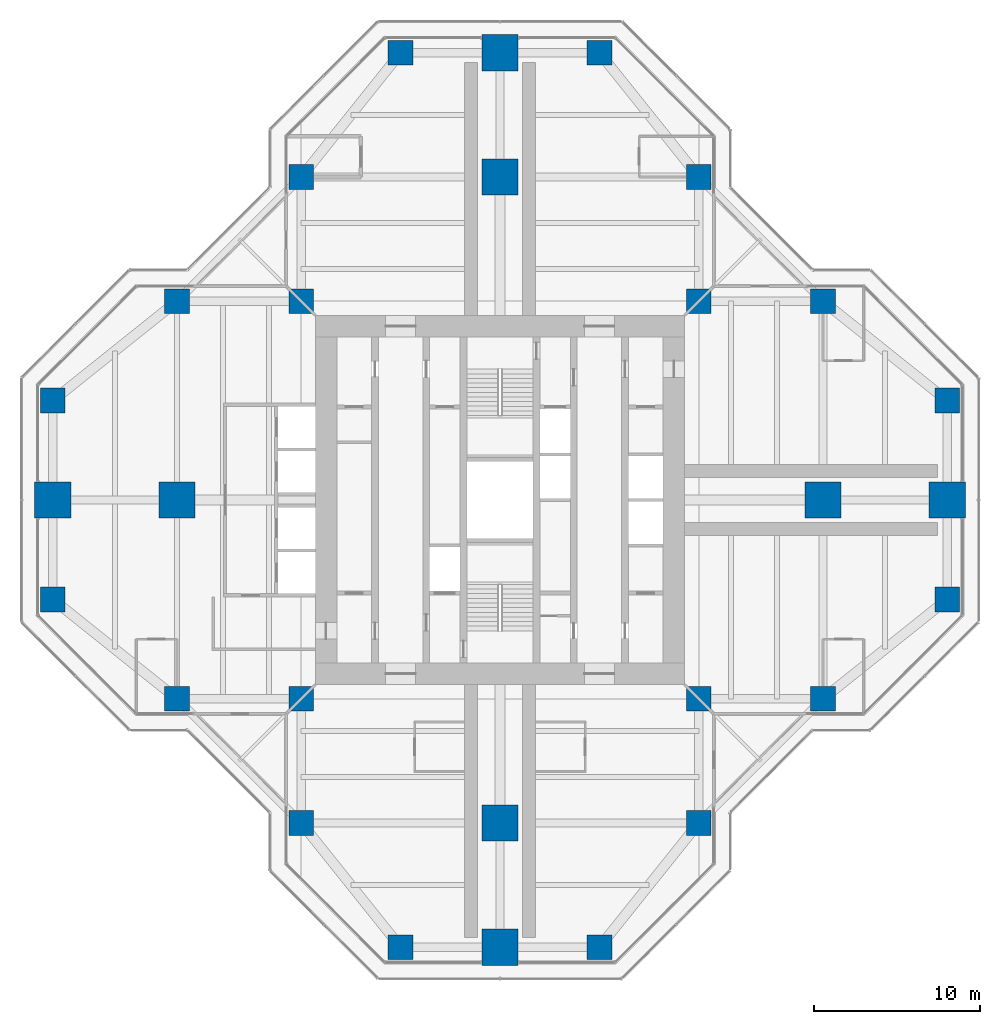
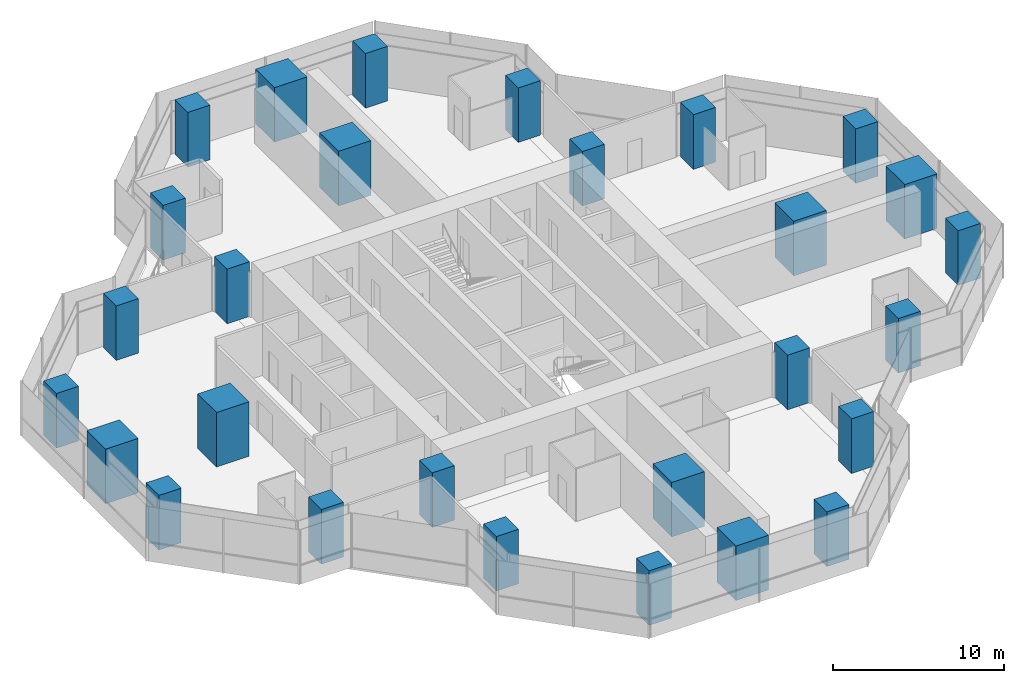
# One storey, part 1 of 17: 28 columns.
"""IFC4 building model written with IfcOpenShell, lengths in metres."""

from ifc_helpers import new_model, si_unit, direction, frame, origin, origin_2d, place, context, subcontext, project, spatial, rectangle, extrude, material, material_profile, profile_set, type_object, element, save


model = new_model("IFC4")

# Units and contexts
model_context = context("Model", 3, precision=1e-05, world=origin(), true_north=direction((0.0, 1.0)))
body_context = subcontext(model_context, "Body", "Model", "MODEL_VIEW")
ifc_project = project(units=[si_unit("LENGTHUNIT", "METRE"), si_unit("AREAUNIT", "SQUARE_METRE"), si_unit("VOLUMEUNIT", "CUBIC_METRE"), si_unit("PLANEANGLEUNIT", "RADIAN"), si_unit("MASSUNIT", "GRAM", prefix="KILO")], contexts=[model_context])

# Site, building, storey
site_placement = place(None, origin())
site = spatial("IfcSite", under=ifc_project, at=site_placement, CompositionType="ELEMENT")
building_placement = place(site_placement, origin())
building = spatial("IfcBuilding", under=site, at=building_placement, Name="Mizan Broadcast Tower", CompositionType="ELEMENT")
storey_placement = place(building_placement, frame((0.0, 0.0, 255.60009765625)))
storey = spatial("IfcBuildingStorey", under=building, at=storey_placement, Name="L60", CompositionType="ELEMENT", Elevation=255.60009765625)

# Columns
ifc_material_1 = material(Name="Concrete C70/85", Category="concrete")
ifc_material_profile_1 = material_profile(ifc_material_1, rectangle(XDim=1.5, YDim=1.5, at=origin_2d()), Name="RC 1500x1500")
ifc_profile_set_1 = profile_set([ifc_material_profile_1], Name="Concrete C70/85")
column_type_1 = type_object("IfcColumnType", Name="RC COLUMN 1500x1500 C70/85", PredefinedType="COLUMN", material=ifc_profile_set_1)
for number, where, z_axis, x_axis, name in (
    (1, (-6.0, -27.0, 0.0), (0.0, 0.0, 1.0), (1.0, 0.0, 0.0), "Column 5/B L60"),
    (2, (6.0, -27.0, 0.0), (0.0, 0.0, 1.0), (1.0, 0.0, 0.0), "Column 7/B L60"),
    (3, (-12.0, -19.5, 0.0), (0.0, 0.0, 1.0), (1.0, 0.0, 0.0), "Column 4/C L60"),
    (4, (12.0, -19.5, 0.0), (0.0, 0.0, 1.0), (1.0, 0.0, 0.0), "Column 8/C L60"),
    (5, (-19.5, -12.0, 0.0), (0.0, 0.0, 1.0), (1.0, 0.0, 0.0), "Column 3/D L60"),
    (6, (-12.0, -12.0, 0.0), (0.0, 0.0, 1.0), (1.0, 0.0, 0.0), "Column 4/D L60"),
    (7, (12.0, -12.0, 0.0), (0.0, 0.0, 1.0), (1.0, 0.0, 0.0), "Column 8/D L60"),
    (8, (19.5, -12.0, 0.0), (0.0, 0.0, 1.0), (1.0, 0.0, 0.0), "Column 9/D L60"),
    (9, (-27.0, -6.0, 0.0), (0.0, 0.0, 1.0), (1.0, 0.0, 0.0), "Column 2/E L60"),
    (10, (27.0, -6.0, 0.0), (0.0, 0.0, 1.0), (1.0, 0.0, 0.0), "Column 10/E L60"),
    (11, (-27.0, 6.0, 0.0), (0.0, 0.0, 1.0), (1.0, 0.0, 0.0), "Column 2/G L60"),
    (12, (27.0, 6.0, 0.0), (0.0, 0.0, 1.0), (1.0, 0.0, 0.0), "Column 10/G L60"),
    (13, (-19.5, 12.0, 0.0), (0.0, 0.0, 1.0), (1.0, 0.0, 0.0), "Column 3/H L60"),
    (14, (-12.0, 12.0, 0.0), (0.0, 0.0, 1.0), (1.0, 0.0, 0.0), "Column 4/H L60"),
    (15, (12.0, 12.0, 0.0), (0.0, 0.0, 1.0), (1.0, 0.0, 0.0), "Column 8/H L60"),
    (16, (19.5, 12.0, 0.0), (0.0, 0.0, 1.0), (1.0, 0.0, 0.0), "Column 9/H L60"),
    (17, (-12.0, 19.5, 0.0), (0.0, 0.0, 1.0), (1.0, 0.0, 0.0), "Column 4/J L60"),
    (18, (12.0, 19.5, 0.0), (0.0, 0.0, 1.0), (1.0, 0.0, 0.0), "Column 8/J L60"),
    (19, (-6.0, 27.0, 0.0), (0.0, 0.0, 1.0), (1.0, 0.0, 0.0), "Column 5/K L60"),
    (20, (6.0, 27.0, 0.0), (0.0, 0.0, 1.0), (1.0, 0.0, 0.0), "Column 7/K L60"),
):
    element("IfcColumn", number, at=place(storey_placement, frame(where, z_axis=z_axis, x_axis=x_axis)), inside=storey, type_object=column_type_1, Name=name, PredefinedType="COLUMN", context=body_context, shape_type="SweptSolid", body=[
        extrude(rectangle(XDim=1.5, YDim=1.5, at=origin_2d()), origin(), (0.0, 0.0, 1.0), 3.89990234375),
    ])
ifc_material_2 = material(Name="Concrete C70/85", Category="concrete")
ifc_material_profile_2 = material_profile(ifc_material_2, rectangle(XDim=2.199951171875, YDim=2.199951171875, at=origin_2d()), Name="RC 2200x2200")
ifc_profile_set_2 = profile_set([ifc_material_profile_2], Name="Concrete C70/85")
column_type_2 = type_object("IfcColumnType", Name="RC COLUMN 2200x2200 C70/85", PredefinedType="COLUMN", material=ifc_profile_set_2)
for number, where, z_axis, x_axis, name in (
    (21, (0.0, -27.0, 0.0), (0.0, 0.0, 1.0), (1.0, 0.0, 0.0), "Column 6/B L60"),
    (22, (0.0, -19.5, 0.0), (0.0, 0.0, 1.0), (1.0, 0.0, 0.0), "Column 6/C L60"),
    (23, (-27.0, 0.0, 0.0), (0.0, 0.0, 1.0), (1.0, 0.0, 0.0), "Column 2/F L60"),
    (24, (-19.5, 0.0, 0.0), (0.0, 0.0, 1.0), (1.0, 0.0, 0.0), "Column 3/F L60"),
    (25, (19.5, 0.0, 0.0), (0.0, 0.0, 1.0), (1.0, 0.0, 0.0), "Column 9/F L60"),
    (26, (27.0, 0.0, 0.0), (0.0, 0.0, 1.0), (1.0, 0.0, 0.0), "Column 10/F L60"),
    (27, (0.0, 19.5, 0.0), (0.0, 0.0, 1.0), (1.0, 0.0, 0.0), "Column 6/J L60"),
    (28, (0.0, 27.0, 0.0), (0.0, 0.0, 1.0), (1.0, 0.0, 0.0), "Column 6/K L60"),
):
    element("IfcColumn", number, at=place(storey_placement, frame(where, z_axis=z_axis, x_axis=x_axis)), inside=storey, type_object=column_type_2, Name=name, PredefinedType="COLUMN", context=body_context, shape_type="SweptSolid", body=[
        extrude(rectangle(XDim=2.199951171875, YDim=2.199951171875, at=origin_2d()), origin(), (0.0, 0.0, 1.0), 3.89990234375),
    ])

save(model, "model.ifc")
